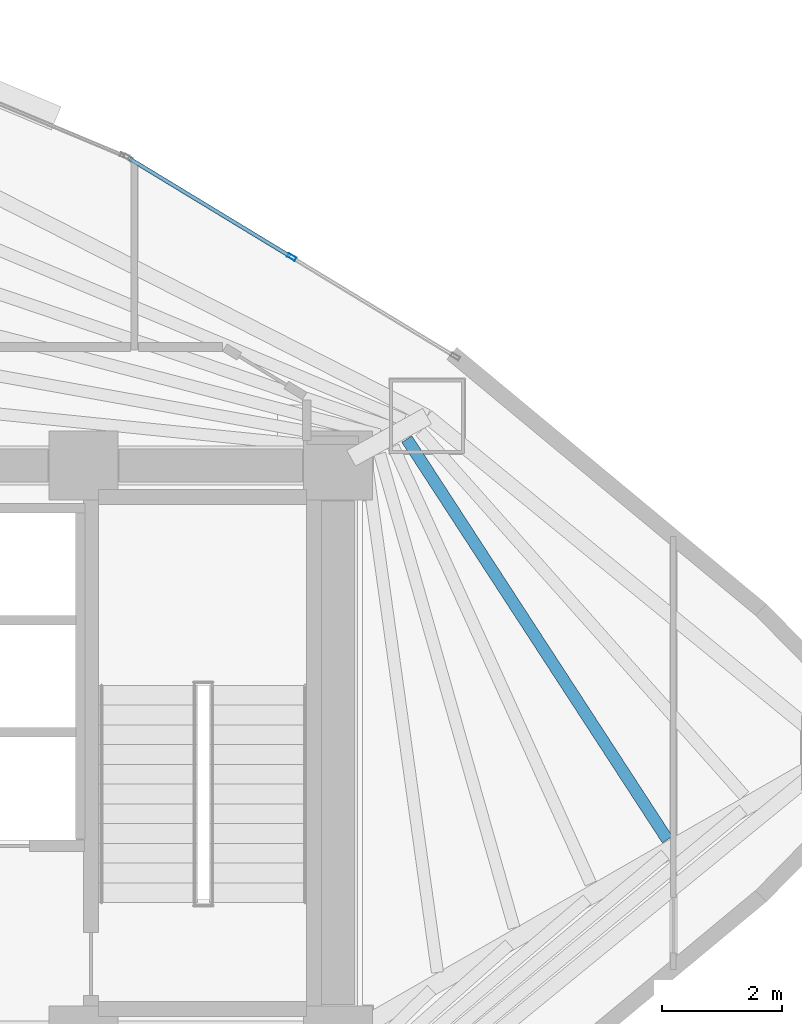
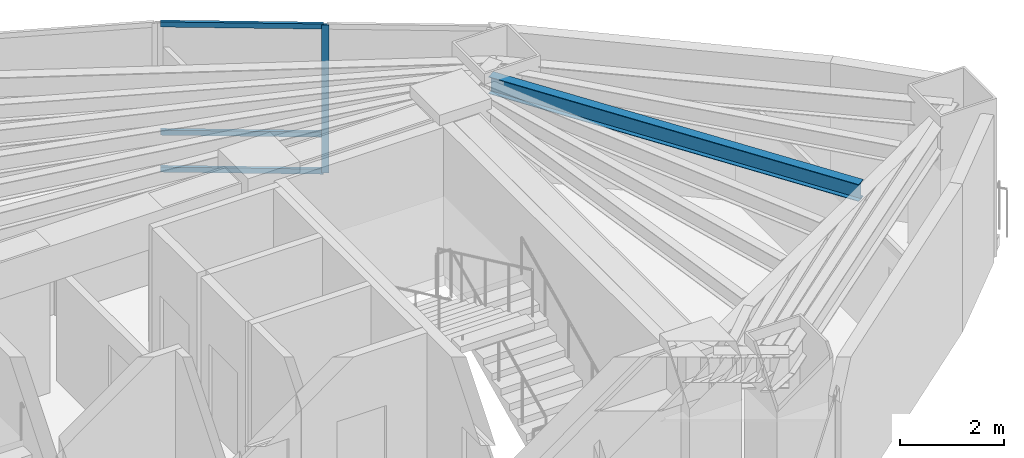
# One storey, part 11 of 18: 4 members, 1 beam, 1 element without a shape of its own.
"""IFC4 building model written with IfcOpenShell, lengths in metres."""

from ifc_helpers import new_model, si_unit, direction, frame, origin, origin_2d, place, context, subcontext, project, spatial, hollow_rectangle, i_section, extrude, material, layer, layer_set, material_profile, profile_set, type_object, element, aggregate, save


model = new_model("IFC4")

# Units and contexts
model_context = context("Model", 3, precision=1e-05, world=origin(), true_north=direction((0.0, 1.0)))
body_context = subcontext(model_context, "Body", "Model", "MODEL_VIEW")
ifc_project = project(units=[si_unit("LENGTHUNIT", "METRE"), si_unit("AREAUNIT", "SQUARE_METRE"), si_unit("VOLUMEUNIT", "CUBIC_METRE"), si_unit("PLANEANGLEUNIT", "RADIAN"), si_unit("MASSUNIT", "GRAM", prefix="KILO")], contexts=[model_context])

# Site, building, storey
site_placement = place(None, origin())
site = spatial("IfcSite", under=ifc_project, at=site_placement, CompositionType="ELEMENT")
building_placement = place(site_placement, origin())
building = spatial("IfcBuilding", under=site, at=building_placement, Name="Menara Vayukalpa", CompositionType="ELEMENT")
storey_placement = place(building_placement, frame((0.0, 0.0, 126.300048828125)))
storey = spatial("IfcBuildingStorey", under=building, at=storey_placement, Name="L31", CompositionType="ELEMENT", Elevation=126.300048828125)

# Beam
ifc_material_1 = material(Name="Steel S355", Category="steel")
ifc_material_profile_1 = material_profile(ifc_material_1, i_section(OverallWidth=0.199951171875, OverallDepth=0.39990234375, WebThickness=0.008056640625, FlangeThickness=0.012939453125, at=origin_2d()), Name="WF 400x200x8x13")
ifc_profile_set_1 = profile_set([ifc_material_profile_1], Name="Steel S355")
beam_type = type_object("IfcBeamType", Name="BM-SJ2", PredefinedType="JOIST", material=ifc_profile_set_1)
beam_placement = place(storey_placement, frame((38.89990234375, 20.552734375, 3.27001953125), z_axis=(-0.545359331823, 0.83820236172, 0.0), x_axis=(-0.83820236172, -0.545359331823, 0.0)))
element("IfcBeam", 1, at=beam_placement, inside=storey, type_object=beam_type, Name="L31 Secondary Floor Joist SJ01-4", PredefinedType="JOIST", context=body_context, shape_type="SweptSolid", body=[
    extrude(i_section(OverallWidth=0.199951171875, OverallDepth=0.39990234375, WebThickness=0.008056640625, FlangeThickness=0.012939453125, at=origin_2d()), origin(), (0.0, 0.0, 1.0), 7.979248046875),
])

# Curtain wall, members
ifc_material_2 = material(Name="Anodised Terracotta Aluminium Alloy 6063-T6", Category="masonry")
ifc_layer = layer(ifc_material_2, 0.14990234375)
ifc_layer_set = layer_set([ifc_layer], Name="Anodised Terracotta Aluminium Alloy 6063-T6")
curtain_wall_type = type_object("IfcCurtainWallType", Name="CW-CW3", PredefinedType="USERDEFINED", material=ifc_layer_set)
curtain_wall_placement = place(storey_placement, origin())
curtain_wall = element("IfcCurtainWall", 2, at=curtain_wall_placement, inside=storey, type_object=curtain_wall_type, Name="L31 Mid Rise Terracotta Ribbon Curtain Wall CW3 04", ObjectType="UNITISED", PredefinedType="USERDEFINED")
ifc_material_3 = material(Name="Anodised Terracotta Aluminium Alloy 6063-T6", Category="masonry")
ifc_material_profile_2 = material_profile(ifc_material_3, hollow_rectangle(XDim=0.06494140625, YDim=0.14990234375, WallThickness=0.00341796875, at=origin_2d()), Name="ALU 65x150x3.5")
ifc_profile_set_2 = profile_set([ifc_material_profile_2], Name="Anodised Terracotta Aluminium Alloy 6063-T6")
member_type_1 = type_object("IfcMemberType", Name="CWM-CW3", PredefinedType="MULLION", material=ifc_profile_set_2)
member_1_placement = place(storey_placement, frame((32.6259765625, 30.278564453125, 0.0), z_axis=(0.0, 0.0, 1.0), x_axis=(-0.519182959112, -0.854663123674, 0.0)))
member_1 = element("IfcMember", 3, at=member_1_placement, type_object=member_type_1, Name="CW3 mullion 2", PredefinedType="MULLION", context=body_context, shape_type="SweptSolid", body=[
    extrude(hollow_rectangle(XDim=0.06494140625, YDim=0.14990234375, WallThickness=0.00341796875, at=origin_2d()), origin(), (0.0, 0.0, 1.0), 3.469970703125),
])
ifc_material_4 = material(Name="Anodised Terracotta Aluminium Alloy 6063-T6", Category="masonry")
ifc_material_profile_3 = material_profile(ifc_material_4, hollow_rectangle(XDim=0.06494140625, YDim=0.1201171875, WallThickness=0.00341796875, at=origin_2d()), Name="ALU 65x120x3.5")
ifc_profile_set_3 = profile_set([ifc_material_profile_3], Name="Anodised Terracotta Aluminium Alloy 6063-T6")
member_type_2 = type_object("IfcMemberType", Name="CWT-CW3", PredefinedType="USERDEFINED", material=ifc_profile_set_3)
member_2_placement = place(storey_placement, frame((32.59814453125, 30.29541015625, 0.032470703125), z_axis=(-0.854673871166, 0.519165266506, 0.0), x_axis=(-0.519165266506, -0.854673871166, 0.0)))
member_2 = element("IfcMember", 4, at=member_2_placement, type_object=member_type_2, Name="CW3 transom 2.1", ObjectType="TRANSOM", PredefinedType="USERDEFINED", context=body_context, shape_type="SweptSolid", body=[
    extrude(hollow_rectangle(XDim=0.06494140625, YDim=0.1201171875, WallThickness=0.00341796875, at=origin_2d()), origin(), (0.0, 0.0, 1.0), 3.1318359375),
])
member_3_placement = place(storey_placement, frame((32.59814453125, 30.29541015625, 0.89990234375), z_axis=(-0.854673871166, 0.519165266506, 0.0), x_axis=(-0.519165266506, -0.854673871166, 0.0)))
member_3 = element("IfcMember", 5, at=member_3_placement, type_object=member_type_2, Name="CW3 transom 2.2", ObjectType="TRANSOM", PredefinedType="USERDEFINED", context=body_context, shape_type="SweptSolid", body=[
    extrude(hollow_rectangle(XDim=0.06494140625, YDim=0.1201171875, WallThickness=0.00341796875, at=origin_2d()), origin(), (0.0, 0.0, 1.0), 3.1318359375),
])
member_4_placement = place(storey_placement, frame((32.59814453125, 30.29541015625, 3.4375), z_axis=(-0.854673871166, 0.519165266506, 0.0), x_axis=(-0.519165266506, -0.854673871166, 0.0)))
member_4 = element("IfcMember", 6, at=member_4_placement, type_object=member_type_2, Name="CW3 transom 2.3", ObjectType="TRANSOM", PredefinedType="USERDEFINED", context=body_context, shape_type="SweptSolid", body=[
    extrude(hollow_rectangle(XDim=0.06494140625, YDim=0.1201171875, WallThickness=0.00341796875, at=origin_2d()), origin(), (0.0, 0.0, 1.0), 3.1318359375),
])
aggregate(curtain_wall, [member_1, member_2, member_3, member_4])

save(model, "model.ifc")
